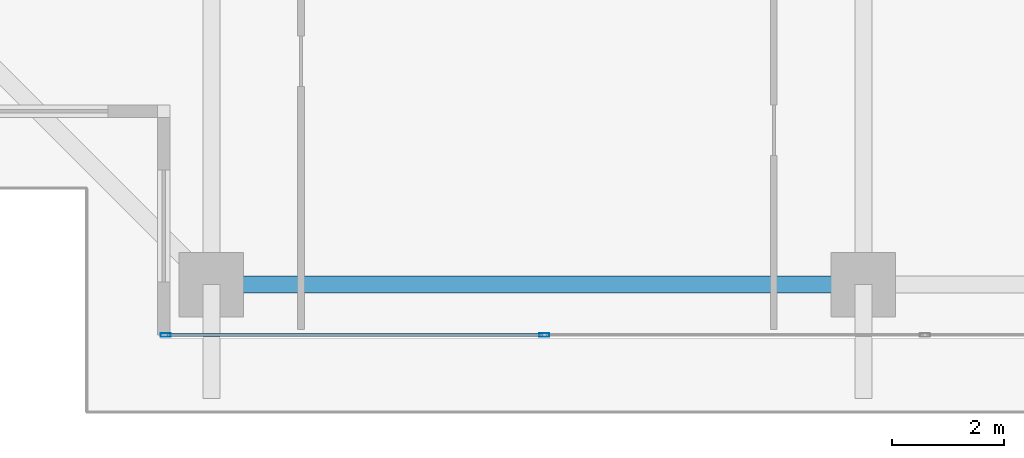
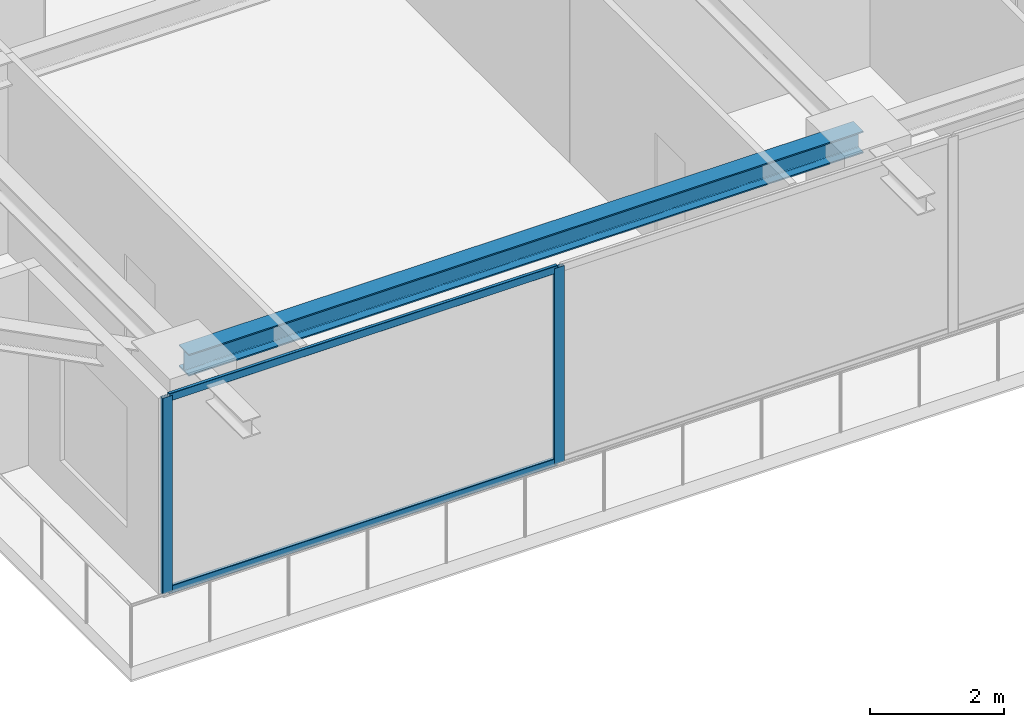
# One storey, part 2 of 37: 4 members, 1 beam, 1 element without a shape of its own.
"""IFC4 building model written with IfcOpenShell, lengths in metres."""

import ifcopenshell
import ifcopenshell.guid

model = None  # the IFC model being written
_history = None  # IfcOwnerHistory: only IFC2X3 demands one
_inside = {}  # id of a spatial element -> (the spatial element, [elements in it])
_under = {}  # id of a project, library or spatial element -> (it, [spatial elements below it])
_declared = {}  # id of a project -> (the project, [libraries it declares])
_typed = {}  # id of a type object -> (the type object, [elements of that type])
_made_of = {}  # id of a material, layer set ... -> (it, [elements and type objects made of it])


def new_model(schema):
    """Start an empty IFC model of exactly this schema.

    Asked for "IFC4X3", IfcOpenShell would pick the latest addendum, in which some entities
    have other attributes; the version numbers below select the first issue.
    IFC2X3 requires an IfcOwnerHistory on every rooted entity: one is made here for all.
    """
    global model, _history
    if schema == "IFC4X3":
        model = ifcopenshell.file(schema_version=(4, 3, 0, 0))
    else:
        model = ifcopenshell.file(schema=schema)
    _inside.clear()
    _under.clear()
    _declared.clear()
    _typed.clear()
    _made_of.clear()
    _history = None
    if model.schema == "IFC2X3":
        org = make("IfcOrganization", Name="unknown")
        user = make(
            "IfcPersonAndOrganization",
            ThePerson=make("IfcPerson", FamilyName="unknown"),
            TheOrganization=org,
        )
        app = make(
            "IfcApplication",
            ApplicationDeveloper=org,
            Version="unknown",
            ApplicationFullName="unknown",
            ApplicationIdentifier="unknown",
        )
        _history = make(
            "IfcOwnerHistory",
            OwningUser=user,
            OwningApplication=app,
            ChangeAction="ADDED",
            CreationDate=0,
        )
    return model


def make(cls, **values):
    """One entity of the class cls with the attributes given. An attribute that is None is left unset."""
    return model.create_entity(
        cls, **{name: value for name, value in values.items() if value is not None}
    )


def rooted(cls, **values):
    """An entity with a GlobalId (a new one), such as an element, a storey or a relation."""
    return make(cls, GlobalId=ifcopenshell.guid.new(), OwnerHistory=_history, **values)


def si_unit(unit_type, name, prefix=None):
    """IfcSIUnit, for example si_unit("LENGTHUNIT", "METRE", prefix="MILLI")."""
    return make("IfcSIUnit", UnitType=unit_type, Prefix=prefix, Name=name)


def assignment(units):
    """IfcUnitAssignment: the units of a project."""
    return None if units is None else make("IfcUnitAssignment", Units=units)


def point(xyz):
    """IfcCartesianPoint."""
    return None if xyz is None else make("IfcCartesianPoint", Coordinates=xyz)


def direction(xyz):
    """IfcDirection."""
    return None if xyz is None else make("IfcDirection", DirectionRatios=xyz)


def frame(location, z_axis=None, x_axis=None):
    """IfcAxis2Placement3D, a coordinate frame: its origin and axes. An axis left out is left unset."""
    return make(
        "IfcAxis2Placement3D",
        Location=point(location),
        Axis=direction(z_axis),
        RefDirection=direction(x_axis),
    )


def frame_2d(location, x_axis=None):
    """IfcAxis2Placement2D, a coordinate frame in the plane: its origin and x axis."""
    return make(
        "IfcAxis2Placement2D", Location=point(location), RefDirection=direction(x_axis)
    )


def origin():
    """The frame at (0, 0, 0) with its axes left unset."""
    return frame((0.0, 0.0, 0.0))


def origin_2d():
    """The frame at (0, 0) in the plane with its x axis left unset."""
    return frame_2d((0.0, 0.0))


def place(relative_to, where):
    """IfcLocalPlacement: puts the frame where relative to a parent placement (None: the world)."""
    return make(
        "IfcLocalPlacement", PlacementRelTo=relative_to, RelativePlacement=where
    )


def context(
    kind, dimensions, precision=None, world=None, true_north=None, identifier=None
):
    """IfcGeometricRepresentationContext, for example the 3D "Model" context."""
    return make(
        "IfcGeometricRepresentationContext",
        ContextIdentifier=identifier,
        ContextType=kind,
        CoordinateSpaceDimension=dimensions,
        Precision=precision,
        WorldCoordinateSystem=world,
        TrueNorth=true_north,
    )


def subcontext(parent, identifier, kind, view, scale=None):
    """IfcGeometricRepresentationSubContext, for example "Body" below "Model"."""
    return make(
        "IfcGeometricRepresentationSubContext",
        ContextIdentifier=identifier,
        ContextType=kind,
        ParentContext=parent,
        TargetScale=scale,
        TargetView=view,
    )


def project(units=None, contexts=None):
    """IfcProject with its units and contexts."""
    return rooted(
        "IfcProject",
        Name="project",
        RepresentationContexts=contexts,
        UnitsInContext=assignment(units),
    )


def spatial(cls, under=None, at=None, **own):
    """A site, building, storey or space (cls), placed at a placement, below another one or the project."""
    s = rooted(cls, ObjectPlacement=at, **own)
    if under is not None:
        _under.setdefault(under.id(), (under, []))[1].append(s)
    return s


def profile(cls, at=None, kind="AREA", **sizes):
    """A parametric profile (cls). Its sizes go by their IFC names, for example OverallWidth=200.0."""
    return make(cls, ProfileType=kind, Position=at, **sizes)


def hollow_rectangle(**sizes):
    """IfcRectangleHollowProfileDef."""
    return profile("IfcRectangleHollowProfileDef", **sizes)


def i_section(**sizes):
    """IfcIShapeProfileDef."""
    return profile("IfcIShapeProfileDef", **sizes)


def extrude(swept, where, along, depth):
    """IfcExtrudedAreaSolid: the profile swept, set in the frame where, extruded along a direction by depth."""
    return make(
        "IfcExtrudedAreaSolid",
        SweptArea=swept,
        Position=where,
        ExtrudedDirection=direction(along),
        Depth=depth,
    )


def shape(context_of_items, identifier, shape_type, items):
    """IfcShapeRepresentation: the items that make up one representation, for example the "Body"."""
    return make(
        "IfcShapeRepresentation",
        ContextOfItems=context_of_items,
        RepresentationIdentifier=identifier,
        RepresentationType=shape_type,
        Items=items,
    )


def source(mapping_origin, context_of_items, identifier, shape_type, items):
    """IfcRepresentationMap: a shape defined once, which mapped items show again and again."""
    return make(
        "IfcRepresentationMap",
        MappingOrigin=mapping_origin,
        MappedRepresentation=shape(context_of_items, identifier, shape_type, items),
    )


def transform(
    local_origin,
    x_axis=None,
    y_axis=None,
    z_axis=None,
    scale=None,
    scale2=None,
    scale3=None,
    uniform=True,
):
    """IfcCartesianTransformationOperator3D, or its non-uniform kind. x_axis, y_axis, z_axis: its Axis1, 2, 3."""
    if uniform:
        return make(
            "IfcCartesianTransformationOperator3D",
            Axis1=direction(x_axis),
            Axis2=direction(y_axis),
            LocalOrigin=point(local_origin),
            Scale=scale,
            Axis3=direction(z_axis),
        )
    return make(
        "IfcCartesianTransformationOperator3DnonUniform",
        Axis1=direction(x_axis),
        Axis2=direction(y_axis),
        LocalOrigin=point(local_origin),
        Scale=scale,
        Axis3=direction(z_axis),
        Scale2=scale2,
        Scale3=scale3,
    )


def mapped(mapping_source, mapping_target):
    """IfcMappedItem: shows the shape of a source again, moved by a transform."""
    return make(
        "IfcMappedItem", MappingSource=mapping_source, MappingTarget=mapping_target
    )


def material(Name=None, Category=None):
    """IfcMaterial."""
    return make("IfcMaterial", Name=Name, Category=Category)


def layer(
    of_material, thickness, ventilated=None, Name=None, Category=None, Priority=None
):
    """IfcMaterialLayer: one layer of a wall or slab, of a material (None: an air gap)."""
    return make(
        "IfcMaterialLayer",
        Material=of_material,
        LayerThickness=thickness,
        IsVentilated=ventilated,
        Name=Name,
        Category=Category,
        Priority=Priority,
    )


def layer_set(layers, Name=None):
    """IfcMaterialLayerSet."""
    return make("IfcMaterialLayerSet", MaterialLayers=layers, LayerSetName=Name)


def material_profile(
    of_material, cross_section, Name=None, Category=None, Priority=None
):
    """IfcMaterialProfile: a cross section and its material."""
    return make(
        "IfcMaterialProfile",
        Name=Name,
        Material=of_material,
        Profile=cross_section,
        Priority=Priority,
        Category=Category,
    )


def profile_set(profiles, Name=None, composite=None):
    """IfcMaterialProfileSet."""
    return make(
        "IfcMaterialProfileSet",
        Name=Name,
        MaterialProfiles=profiles,
        CompositeProfile=composite,
    )


def made_of(thing, what):
    """Note that an element or type object is made of a material, layer set ...; save() writes the relation."""
    if what is not None:
        _made_of.setdefault(what.id(), (what, []))[1].append(thing)
    return thing


def type_object(cls, material=None, **own):
    """A type object (cls), such as IfcWallType, which elements share."""
    return made_of(rooted(cls, **own), material)


def element(
    cls,
    number,
    at=None,
    inside=None,
    cuts=None,
    type_object=None,
    material=None,
    context=None,
    identifier="Body",
    shape_type=None,
    held_by="IfcProductDefinitionShape",
    body=None,
    shapes=None,
    **own,
):
    """One element of the class cls, such as IfcWall. Its Tag is "e" and its number.

    at: its placement. inside: the storey or other place that contains it. cuts: it is an
    opening in that element (IfcRelVoidsElement). A single representation is given by context,
    identifier, shape_type and body (its items); several are given by shapes. held_by: the class
    of the entity that holds the representations. save() writes the other relations.
    """
    e = rooted(cls, Tag="e%d" % number, ObjectPlacement=at, **own)
    if body is not None:
        shapes = [shape(context, identifier, shape_type, body)]
    if shapes is not None:
        e.Representation = make(held_by, Representations=shapes)
    if inside is not None:
        _inside.setdefault(inside.id(), (inside, []))[1].append(e)
    if cuts is not None:
        rooted(
            "IfcRelVoidsElement", RelatingBuildingElement=cuts, RelatedOpeningElement=e
        )
    if type_object is not None:
        _typed.setdefault(type_object.id(), (type_object, []))[1].append(e)
    return made_of(e, material)


def aggregate(whole, parts):
    """IfcRelAggregates: a whole, such as a stair, and the parts it consists of."""
    return rooted("IfcRelAggregates", RelatingObject=whole, RelatedObjects=parts)


def save(model, path):
    """Write the relations noted so far, then the file.

    IfcRelAggregates (storeys below a building ...), IfcRelContainedInSpatialStructure (elements
    in a storey), IfcRelDefinesByType, IfcRelAssociatesMaterial and IfcRelDeclares: one each for
    every whole, place, type object, material and project.
    """
    for whole, parts in _under.values():
        aggregate(whole, parts)
    for where, things in _inside.values():
        rooted(
            "IfcRelContainedInSpatialStructure",
            RelatedElements=things,
            RelatingStructure=where,
        )
    for kind, things in _typed.values():
        rooted("IfcRelDefinesByType", RelatedObjects=things, RelatingType=kind)
    for what, things in _made_of.values():
        rooted("IfcRelAssociatesMaterial", RelatedObjects=things, RelatingMaterial=what)
    for by, libraries in _declared.values():
        rooted("IfcRelDeclares", RelatingContext=by, RelatedDefinitions=libraries)
    model.write(path)


model = new_model("IFC4")

# Units and contexts
model_context = context("Model", 3, precision=1e-05, world=origin(), true_north=direction((0.0, 1.0)))
body_context = subcontext(model_context, "Body", "Model", "MODEL_VIEW")
ifc_project = project(units=[si_unit("LENGTHUNIT", "METRE"), si_unit("AREAUNIT", "SQUARE_METRE"), si_unit("VOLUMEUNIT", "CUBIC_METRE"), si_unit("PLANEANGLEUNIT", "RADIAN"), si_unit("MASSUNIT", "GRAM", prefix="KILO")], contexts=[model_context])

# Site, building, storey
site_placement = place(None, origin())
site = spatial("IfcSite", under=ifc_project, at=site_placement, CompositionType="ELEMENT")
building_placement = place(site_placement, origin())
building = spatial("IfcBuilding", under=site, at=building_placement, Name="Serunith Strait Residences", CompositionType="ELEMENT")
storey_placement = place(building_placement, frame((0.0, 0.0, 233.550048828125)))
storey = spatial("IfcBuildingStorey", under=building, at=storey_placement, Name="L58", CompositionType="ELEMENT", Elevation=233.550048828125)

# Beam
ifc_material_1 = material(Name="Steel S355J2", Category="steel")
ifc_material_profile_1 = material_profile(ifc_material_1, i_section(OverallWidth=0.300048828125, OverallDepth=0.39990234375, WebThickness=0.013427734375, FlangeThickness=0.02392578125, FilletRadius=0.027099609375, at=origin_2d()), Name="HEB 400")
ifc_profile_set_1 = profile_set([ifc_material_profile_1], Name="Steel S355J2")
beam_type = type_object("IfcBeamType", Name="BM-HEB400", PredefinedType="BEAM", material=ifc_profile_set_1)
shared_shape_1 = source(origin(), body_context, "Body", "SweptSolid", [
    extrude(i_section(OverallWidth=0.300048828125, OverallDepth=0.39990234375, WebThickness=0.013427734375, FlangeThickness=0.02392578125, FilletRadius=0.027099609375, at=origin_2d()), origin(), (0.0, 0.0, 1.0), 11.64990234375),
])
beam_placement = place(storey_placement, frame((16.25, 2.10009765625, 3.386962890625), z_axis=(1.0, 0.0, 0.0), x_axis=(0.0, 1.0, 0.0)))
element("IfcBeam", 1, at=beam_placement, inside=storey, type_object=beam_type, Name="L58 Perimeter Ring Beam 01", PredefinedType="BEAM", context=body_context, shape_type="MappedRepresentation", body=[
    mapped(shared_shape_1, transform((0.0, 0.0, 0.0), scale=1.0)),
])

# Curtain wall, members
ifc_material_2 = material(Name="Pale-Champagne Anodised Aluminium", Category="aluminium")
ifc_layer = layer(ifc_material_2, 0.199951171875, Name="Pale-Champagne Anodised Aluminium")
ifc_layer_set = layer_set([ifc_layer], Name="Pale-Champagne Anodised Aluminium")
curtain_wall_type = type_object("IfcCurtainWallType", Name="CW-SYS4", PredefinedType="NOTDEFINED", material=ifc_layer_set)
curtain_wall_placement = place(storey_placement, origin())
curtain_wall = element("IfcCurtainWall", 2, at=curtain_wall_placement, inside=storey, type_object=curtain_wall_type, Name="L58 S Unitised Fritted Curtain Wall", PredefinedType="NOTDEFINED")
ifc_material_profile_2 = material_profile(ifc_material_2, hollow_rectangle(XDim=0.06494140625, YDim=0.179931640625, WallThickness=0.00341796875, InnerFilletRadius=0.00537109375, OuterFilletRadius=0.0087890625, at=origin_2d()), Name="ALU 180x65x3.5")
ifc_profile_set_2 = profile_set([ifc_material_profile_2], Name="Pale-Champagne Anodised Aluminium")
member_type_1 = type_object("IfcMemberType", Name="CW-SYS4-MULL", PredefinedType="MULLION", material=ifc_profile_set_2)
shared_shape_2 = source(origin(), body_context, "Body", "SweptSolid", [
    extrude(hollow_rectangle(XDim=0.06494140625, YDim=0.179931640625, WallThickness=0.00341796875, InnerFilletRadius=0.00537109375, OuterFilletRadius=0.0087890625, at=origin_2d()), origin(), (0.0, 0.0, 1.0), 3.574951171875),
])
member_1_placement = place(storey_placement, frame((15.4326171875, 1.199951171875, 0.0), z_axis=(0.0, 0.0, 1.0), x_axis=(0.0, 1.0, 0.0)))
member_1 = element("IfcMember", 3, at=member_1_placement, type_object=member_type_1, Name="CW-4 mullion 1", PredefinedType="MULLION", context=body_context, shape_type="MappedRepresentation", body=[
    mapped(shared_shape_2, transform((0.0, 0.0, 0.0), scale=1.0)),
])
member_2_placement = place(storey_placement, frame((22.199951171875, 1.199951171875, 0.0), z_axis=(0.0, 0.0, 1.0), x_axis=(0.0, 1.0, 0.0)))
member_2 = element("IfcMember", 4, at=member_2_placement, type_object=member_type_1, Name="CW-4 mullion 2", PredefinedType="MULLION", context=body_context, shape_type="MappedRepresentation", body=[
    mapped(shared_shape_2, transform((0.0, 0.0, 0.0), scale=1.0)),
])
ifc_material_profile_3 = material_profile(ifc_material_2, hollow_rectangle(XDim=0.06005859375, YDim=0.139892578125, WallThickness=0.00341796875, InnerFilletRadius=0.00537109375, OuterFilletRadius=0.0087890625, at=origin_2d()), Name="ALU 140x60x3.5")
ifc_profile_set_3 = profile_set([ifc_material_profile_3], Name="Pale-Champagne Anodised Aluminium")
member_type_2 = type_object("IfcMemberType", Name="CW-SYS4-TRAN", PredefinedType="USERDEFINED", material=ifc_profile_set_3)
shared_shape_3 = source(origin(), body_context, "Body", "SweptSolid", [
    extrude(hollow_rectangle(XDim=0.06005859375, YDim=0.139892578125, WallThickness=0.00341796875, InnerFilletRadius=0.00537109375, OuterFilletRadius=0.0087890625, at=origin_2d()), origin(), (0.0, 0.0, 1.0), 6.702392578125),
])
member_3_placement = place(storey_placement, frame((15.465087890625, 1.199951171875, 0.030029296875), z_axis=(1.0, 0.0, 0.0), x_axis=(0.0, 1.0, 0.0)))
member_3 = element("IfcMember", 5, at=member_3_placement, type_object=member_type_2, Name="CW-4 transom 1.1", ObjectType="TRANSOM", PredefinedType="USERDEFINED", context=body_context, shape_type="MappedRepresentation", body=[
    mapped(shared_shape_3, transform((0.0, 0.0, 0.0), scale=1.0)),
])
member_4_placement = place(storey_placement, frame((15.465087890625, 1.199951171875, 3.544921875), z_axis=(1.0, 0.0, 0.0), x_axis=(0.0, 1.0, 0.0)))
member_4 = element("IfcMember", 6, at=member_4_placement, type_object=member_type_2, Name="CW-4 transom 1.2", ObjectType="TRANSOM", PredefinedType="USERDEFINED", context=body_context, shape_type="MappedRepresentation", body=[
    mapped(shared_shape_3, transform((0.0, 0.0, 0.0), scale=1.0)),
])
aggregate(curtain_wall, [member_1, member_2, member_3, member_4])

save(model, "model.ifc")
